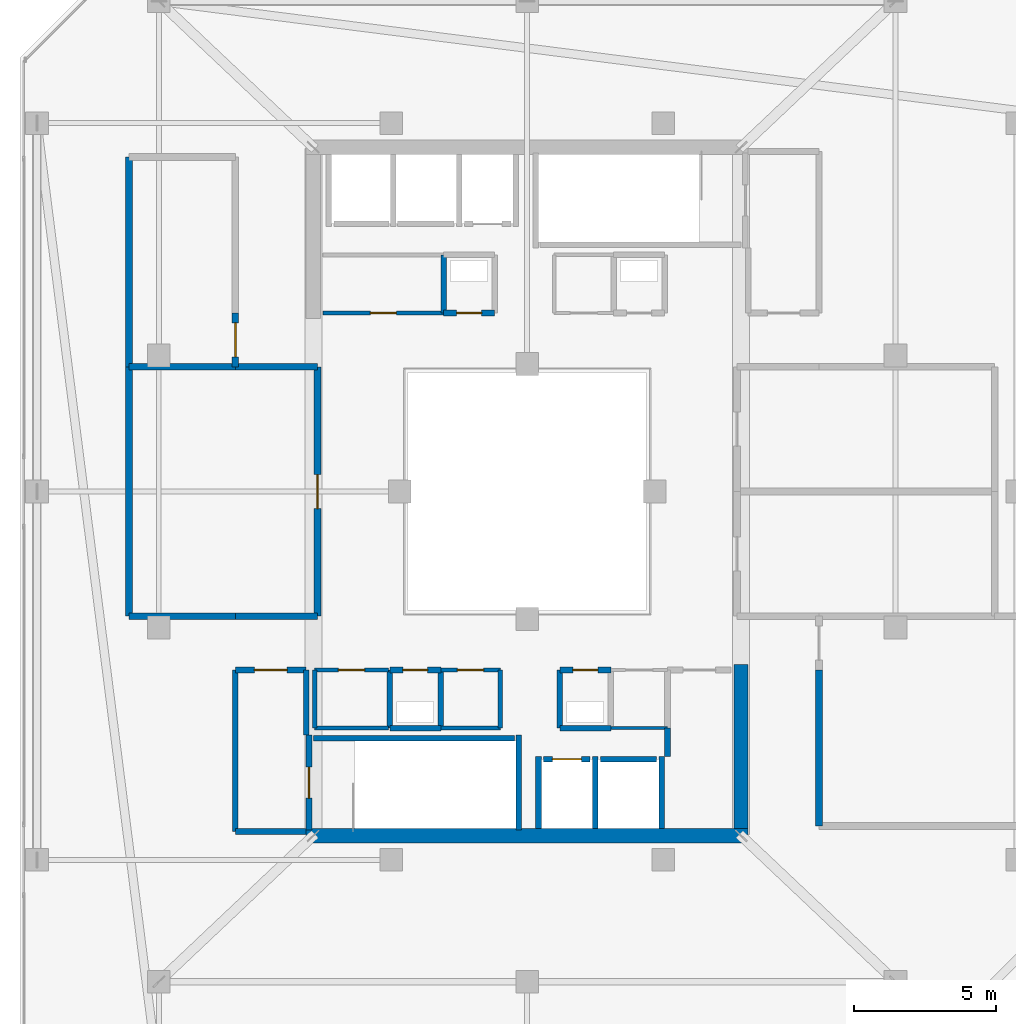
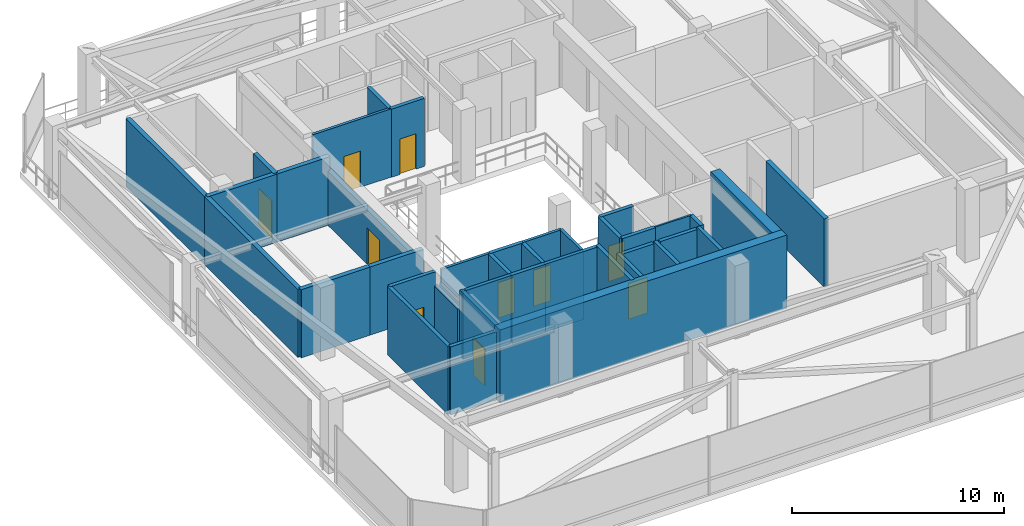
# One storey, part 41 of 47: 41 walls, 11 doors, 11 openings.
"""IFC4 building model written with IfcOpenShell, lengths in metres."""

from ifc_helpers import new_model, si_unit, direction, frame, frame_2d, origin, place, context, subcontext, project, spatial, rectangle, extrude, material, layer, layer_set, type_object, element, fill, save


model = new_model("IFC4")

# Units and contexts
model_context = context("Model", 3, precision=1e-05, world=origin(), true_north=direction((0.0, 1.0)))
body_context = subcontext(model_context, "Body", "Model", "MODEL_VIEW")
ifc_project = project(units=[si_unit("LENGTHUNIT", "METRE"), si_unit("AREAUNIT", "SQUARE_METRE"), si_unit("VOLUMEUNIT", "CUBIC_METRE"), si_unit("PLANEANGLEUNIT", "RADIAN"), si_unit("MASSUNIT", "GRAM", prefix="KILO")], contexts=[model_context])

# Site, building, storey
site_placement = place(None, origin())
site = spatial("IfcSite", under=ifc_project, at=site_placement, CompositionType="ELEMENT")
building_placement = place(site_placement, origin())
building = spatial("IfcBuilding", under=site, at=building_placement, Name="Thornwick Lancets Civic Towers", CompositionType="ELEMENT")
storey_placement = place(building_placement, frame((0.0, 0.0, 279.89990234375)))
storey = spatial("IfcBuildingStorey", under=building, at=storey_placement, Name="C01", CompositionType="ELEMENT", Elevation=279.89990234375)

# Wall, opening, door
ifc_material_1 = material(Name="Concrete blockwork C40/50", Category="masonry")
ifc_layer_1 = layer(ifc_material_1, 0.199951171875, Name="Concrete blockwork C40/50")
ifc_layer_set_1 = layer_set([ifc_layer_1], Name="Concrete blockwork C40/50")
wall_type_1 = type_object("IfcWallType", Name="WALL_COMP_200", PredefinedType="STANDARD", material=ifc_layer_set_1)
wall_1_placement = place(storey_placement, frame((26.080078125, 17.550048828125, 0.0), z_axis=(0.0, 0.0, 1.0), x_axis=(1.0, 0.0, 0.0)))
wall_1 = element("IfcWall", 1, at=wall_1_placement, inside=storey, type_object=wall_type_1, Name="C01 Hoistway Front Wall FL-A1", PredefinedType="STANDARD", context=body_context, shape_type="SweptSolid", body=[
    extrude(rectangle(XDim=1.639892578125, YDim=0.199951171875, at=frame_2d((0.81982421875, 0.0))), origin(), (0.0, 0.0, 1.0), 3.920166015625),
])
opening_1_placement = place(wall_1_placement, frame((0.31005859375, 0.0, 0.0)))
opening_1 = element("IfcOpeningElement", 2, at=opening_1_placement, cuts=wall_1, Name="Opening LD-FL-A1", PredefinedType="OPENING", context=body_context, shape_type="SweptSolid", body=[
    extrude(rectangle(XDim=1.02001953125, YDim=2.06005859375, at=frame_2d((0.510009765625, 1.030029296875))), frame((0.0, 0.10986328125, 0.0), z_axis=(0.0, -1.0, 0.0), x_axis=(1.0, 0.0, 0.0)), (0.0, 0.0, 1.0), 0.219970703125),
])
ifc_material_2 = material(Name="Brushed bronze stainless steel", Category="steel")
door_type_1 = type_object("IfcDoorType", Name="DOOR_LIFT_SLIDE", OperationType="SLIDING_TO_LEFT", PredefinedType="DOOR", material=ifc_material_2)
door_1_placement = place(opening_1_placement, origin())
door_1 = element("IfcDoor", 3, at=door_1_placement, inside=storey, type_object=door_type_1, Name="C01 Sliding Lift Landing Door LD-FL-A1", OperationType="SLIDING_TO_LEFT", OverallHeight=2.06005859375, OverallWidth=1.02001953125, PredefinedType="DOOR", context=body_context, shape_type="SweptSolid", body=[
    extrude(rectangle(XDim=1.02001953125, YDim=2.06005859375, at=frame_2d((0.510009765625, 1.030029296875))), frame((0.0, 0.02490234375, 0.0), z_axis=(0.0, -1.0, 0.0), x_axis=(1.0, 0.0, 0.0)), (0.0, 0.0, 1.0), 0.050048828125),
])
fill(opening_1, door_1)

# Walls
wall_2_placement = place(storey_placement, frame((28.080078125, 17.550048828125, 0.0), z_axis=(0.0, 0.0, 1.0), x_axis=(1.0, 0.0, 0.0)))
element("IfcWall", 4, at=wall_2_placement, inside=storey, type_object=wall_type_1, Name="C01 Hoistway Front Wall PL-AH1", PredefinedType="STANDARD", context=body_context, shape_type="SweptSolid", body=[
    extrude(rectangle(XDim=1.989990234375, YDim=0.199951171875, at=frame_2d((0.9951171875, 0.0))), origin(), (0.0, 0.0, 1.0), 3.920166015625),
])
for number, where, z_axis, x_axis, name in (
    (5, (27.89990234375, 15.112060546875, 0.0), (0.0, 0.0, 1.0), (0.0, 1.0, 0.0), "C01 Hoistway Shaft Wall FL-A1 E"),
    (6, (25.89990234375, 15.112060546875, 0.0), (0.0, 0.0, 1.0), (0.0, 1.0, 0.0), "C01 Hoistway Shaft Wall FL-A1 W"),
    (7, (30.25, 15.112060546875, 0.0), (0.0, 0.0, 1.0), (0.0, 1.0, 0.0), "C01 Hoistway Shaft Wall PL-AH1 E"),
):
    element("IfcWall", number, at=place(storey_placement, frame(where, z_axis=z_axis, x_axis=x_axis)), inside=storey, type_object=wall_type_1, Name=name, PredefinedType="STANDARD", context=body_context, shape_type="SweptSolid", body=[
        extrude(rectangle(XDim=2.535888671875, YDim=0.199951171875, at=frame_2d((1.26806640625, 0.0))), origin(), (0.0, 0.0, 1.0), 3.920166015625),
    ])
wall_3_placement = place(storey_placement, frame((15.199951171875, 15.0, 0.0), z_axis=(0.0, 0.0, 1.0), x_axis=(1.0, 0.0, 0.0)))
element("IfcWall", 8, at=wall_3_placement, inside=storey, type_object=wall_type_1, Name="C01 Partition C01-A-FFLOB1 E1", PredefinedType="STANDARD", context=body_context, shape_type="SweptSolid", body=[
    extrude(rectangle(XDim=2.5, YDim=0.199951171875, at=frame_2d((1.25, 0.0))), origin(), (0.0, 0.0, 1.0), 3.920166015625),
])
wall_4_placement = place(storey_placement, frame((17.699951171875, 18.39990234375, 0.0), z_axis=(0.0, 0.0, 1.0), x_axis=(0.0, 1.0, 0.0)))
element("IfcWall", 9, at=wall_4_placement, inside=storey, type_object=wall_type_1, Name="C01 Partition C01-A-FFLOB1 E2", PredefinedType="STANDARD", context=body_context, shape_type="SweptSolid", body=[
    extrude(rectangle(XDim=2.300048828125, YDim=0.199951171875, at=frame_2d((1.14990234375, 0.0))), origin(), (0.0, 0.0, 1.0), 3.125),
])

# Wall, opening, door
wall_5_placement = place(storey_placement, frame((17.699951171875, 20.699951171875, 0.0), z_axis=(0.0, 0.0, 1.0), x_axis=(-1.0, 0.0, 0.0)))
wall_5 = element("IfcWall", 10, at=wall_5_placement, inside=storey, type_object=wall_type_1, Name="C01 Partition C01-A-FFLOB1 E3", PredefinedType="STANDARD", context=body_context, shape_type="SweptSolid", body=[
    extrude(rectangle(XDim=2.5, YDim=0.199951171875, at=frame_2d((1.25, 0.0))), origin(), (0.0, 0.0, 1.0), 3.920166015625),
])
opening_2_placement = place(wall_5_placement, frame((0.675048828125, 0.0, 0.0)))
opening_2 = element("IfcOpeningElement", 11, at=opening_2_placement, cuts=wall_5, Name="Opening D-C01-3445", PredefinedType="OPENING", context=body_context, shape_type="SweptSolid", body=[
    extrude(rectangle(XDim=1.14990234375, YDim=2.10009765625, at=frame_2d((0.574951171875, 1.050048828125))), frame((0.0, 0.10986328125, 0.0), z_axis=(0.0, -1.0, 0.0), x_axis=(1.0, 0.0, 0.0)), (0.0, 0.0, 1.0), 0.219970703125),
])
ifc_material_3 = material(Name="Glazed fire-resisting steel", Category="steel")
door_type_2 = type_object("IfcDoorType", Name="DOOR_LOBBY_FD60", OperationType="NOTDEFINED", PredefinedType="DOOR", material=ifc_material_3)
door_2_placement = place(opening_2_placement, origin())
door_2 = element("IfcDoor", 12, at=door_2_placement, inside=storey, type_object=door_type_2, Name="C01 South Firefighting Lobby 1 Door", OperationType="SINGLE_SWING_RIGHT", OverallHeight=2.10009765625, OverallWidth=1.14990234375, PredefinedType="DOOR", context=body_context, shape_type="SweptSolid", body=[
    extrude(rectangle(XDim=1.14990234375, YDim=2.10009765625, at=frame_2d((0.574951171875, 1.050048828125))), frame((0.0, 0.02490234375, 0.0), z_axis=(0.0, -1.0, 0.0), x_axis=(1.0, 0.0, 0.0)), (0.0, 0.0, 1.0), 0.050048828125),
])
fill(opening_2, door_2)

# Walls
wall_6_placement = place(storey_placement, frame((15.199951171875, 20.699951171875, 0.0), z_axis=(0.0, 0.0, 1.0), x_axis=(0.0, -1.0, 0.0)))
element("IfcWall", 13, at=wall_6_placement, inside=storey, type_object=wall_type_1, Name="C01 Partition C01-A-FFLOB1 E4", PredefinedType="STANDARD", context=body_context, shape_type="SweptSolid", body=[
    extrude(rectangle(XDim=5.699951171875, YDim=0.199951171875, at=frame_2d((2.85009765625, 0.0))), origin(), (0.0, 0.0, 1.0), 3.920166015625),
])
wall_7_placement = place(storey_placement, frame((26.64990234375, 18.64990234375, 0.0), z_axis=(0.0, 0.0, 1.0), x_axis=(1.0, 0.0, 0.0)))
element("IfcWall", 14, at=wall_7_placement, inside=storey, type_object=wall_type_1, Name="C01 Partition C01-A-DUCT1 E1", PredefinedType="STANDARD", context=body_context, shape_type="SweptSolid", body=[
    extrude(rectangle(XDim=1.800048828125, YDim=0.199951171875, at=frame_2d((0.89990234375, 0.0))), origin(), (0.0, 0.0, 1.0), 3.920166015625),
])

# Wall, opening, door
wall_8_placement = place(storey_placement, frame((28.449951171875, 20.699951171875, 0.0), z_axis=(0.0, 0.0, 1.0), x_axis=(-1.0, 0.0, 0.0)))
wall_8 = element("IfcWall", 15, at=wall_8_placement, inside=storey, type_object=wall_type_1, Name="C01 Partition C01-A-DUCT1 E3", PredefinedType="STANDARD", context=body_context, shape_type="SweptSolid", body=[
    extrude(rectangle(XDim=1.800048828125, YDim=0.199951171875, at=frame_2d((0.89990234375, 0.0))), origin(), (0.0, 0.0, 1.0), 3.920166015625),
])
opening_3_placement = place(wall_8_placement, frame((0.4599609375, 0.0, 0.0)))
opening_3 = element("IfcOpeningElement", 16, at=opening_3_placement, cuts=wall_8, Name="Opening D-C01-3447", PredefinedType="OPENING", context=body_context, shape_type="SweptSolid", body=[
    extrude(rectangle(XDim=0.8798828125, YDim=2.0400390625, at=frame_2d((0.43994140625, 1.02001953125))), frame((0.0, 0.10986328125, 0.0), z_axis=(0.0, -1.0, 0.0), x_axis=(1.0, 0.0, 0.0)), (0.0, 0.0, 1.0), 0.219970703125),
])
ifc_material_4 = material(Name="Steel riser access doorset", Category="steel")
door_type_3 = type_object("IfcDoorType", Name="DOOR_RISER_850", OperationType="NOTDEFINED", PredefinedType="DOOR", material=ifc_material_4)
door_3_placement = place(opening_3_placement, origin())
door_3 = element("IfcDoor", 17, at=door_3_placement, inside=storey, type_object=door_type_3, Name="C01 South Service Duct 1 Door", OperationType="SINGLE_SWING_RIGHT", OverallHeight=2.0400390625, OverallWidth=0.8798828125, PredefinedType="DOOR", context=body_context, shape_type="SweptSolid", body=[
    extrude(rectangle(XDim=0.8798828125, YDim=2.0400390625, at=frame_2d((0.43994140625, 1.02001953125))), frame((0.0, 0.02490234375, 0.0), z_axis=(0.0, -1.0, 0.0), x_axis=(1.0, 0.0, 0.0)), (0.0, 0.0, 1.0), 0.050048828125),
])
fill(opening_3, door_3)

# Walls
wall_9_placement = place(storey_placement, frame((26.64990234375, 20.699951171875, 0.0), z_axis=(0.0, 0.0, 1.0), x_axis=(0.0, -1.0, 0.0)))
element("IfcWall", 18, at=wall_9_placement, inside=storey, type_object=wall_type_1, Name="C01 Partition C01-A-DUCT1 E4", PredefinedType="STANDARD", context=body_context, shape_type="SweptSolid", body=[
    extrude(rectangle(XDim=2.050048828125, YDim=0.199951171875, at=frame_2d((1.02490234375, 0.0))), origin(), (0.0, 0.0, 1.0), 3.920166015625),
])
wall_10_placement = place(storey_placement, frame((20.64990234375, 18.64990234375, 0.0), z_axis=(0.0, 0.0, 1.0), x_axis=(1.0, 0.0, 0.0)))
element("IfcWall", 19, at=wall_10_placement, inside=storey, type_object=wall_type_1, Name="C01 Partition C01-A-RISER1 E1", PredefinedType="STANDARD", context=body_context, shape_type="SweptSolid", body=[
    extrude(rectangle(XDim=1.800048828125, YDim=0.199951171875, at=frame_2d((0.89990234375, 0.0))), origin(), (0.0, 0.0, 1.0), 3.920166015625),
])
wall_11_placement = place(storey_placement, frame((22.449951171875, 18.64990234375, 0.0), z_axis=(0.0, 0.0, 1.0), x_axis=(0.0, 1.0, 0.0)))
element("IfcWall", 20, at=wall_11_placement, inside=storey, type_object=wall_type_1, Name="C01 Partition C01-A-RISER1 E2", PredefinedType="STANDARD", context=body_context, shape_type="SweptSolid", body=[
    extrude(rectangle(XDim=2.050048828125, YDim=0.199951171875, at=frame_2d((1.02490234375, 0.0))), origin(), (0.0, 0.0, 1.0), 3.920166015625),
])

# Wall, opening, door
wall_12_placement = place(storey_placement, frame((22.449951171875, 20.699951171875, 0.0), z_axis=(0.0, 0.0, 1.0), x_axis=(-1.0, 0.0, 0.0)))
wall_12 = element("IfcWall", 21, at=wall_12_placement, inside=storey, type_object=wall_type_1, Name="C01 Partition C01-A-RISER1 E3", PredefinedType="STANDARD", context=body_context, shape_type="SweptSolid", body=[
    extrude(rectangle(XDim=1.800048828125, YDim=0.199951171875, at=frame_2d((0.89990234375, 0.0))), origin(), (0.0, 0.0, 1.0), 3.920166015625),
])
opening_4_placement = place(wall_12_placement, frame((0.4599609375, 0.0, 0.0)))
opening_4 = element("IfcOpeningElement", 22, at=opening_4_placement, cuts=wall_12, Name="Opening D-C01-3448", PredefinedType="OPENING", context=body_context, shape_type="SweptSolid", body=[
    extrude(rectangle(XDim=0.8798828125, YDim=2.0400390625, at=frame_2d((0.43994140625, 1.02001953125))), frame((0.0, 0.10986328125, 0.0), z_axis=(0.0, -1.0, 0.0), x_axis=(1.0, 0.0, 0.0)), (0.0, 0.0, 1.0), 0.219970703125),
])
door_4_placement = place(opening_4_placement, origin())
door_4 = element("IfcDoor", 23, at=door_4_placement, inside=storey, type_object=door_type_3, Name="C01 South Electrical Riser 1 Door", OperationType="SINGLE_SWING_LEFT", OverallHeight=2.0400390625, OverallWidth=0.8798828125, PredefinedType="DOOR", context=body_context, shape_type="SweptSolid", body=[
    extrude(rectangle(XDim=0.8798828125, YDim=2.0400390625, at=frame_2d((0.43994140625, 1.02001953125))), frame((0.0, 0.02490234375, 0.0), z_axis=(0.0, -1.0, 0.0), x_axis=(1.0, 0.0, 0.0)), (0.0, 0.0, 1.0), 0.050048828125),
])
fill(opening_4, door_4)

# Wall
wall_13_placement = place(storey_placement, frame((20.64990234375, 20.699951171875, 0.0), z_axis=(0.0, 0.0, 1.0), x_axis=(0.0, -1.0, 0.0)))
element("IfcWall", 24, at=wall_13_placement, inside=storey, type_object=wall_type_1, Name="C01 Partition C01-A-RISER1 E4", PredefinedType="STANDARD", context=body_context, shape_type="SweptSolid", body=[
    extrude(rectangle(XDim=2.050048828125, YDim=0.199951171875, at=frame_2d((1.02490234375, 0.0))), origin(), (0.0, 0.0, 1.0), 3.920166015625),
])

# Wall, opening, door
wall_14_placement = place(storey_placement, frame((22.550048828125, 33.300048828125, 0.0), z_axis=(0.0, 0.0, 1.0), x_axis=(1.0, 0.0, 0.0)))
wall_14 = element("IfcWall", 25, at=wall_14_placement, inside=storey, type_object=wall_type_1, Name="C01 Partition C01-A-DUCT2 E1", PredefinedType="STANDARD", context=body_context, shape_type="SweptSolid", body=[
    extrude(rectangle(XDim=1.800048828125, YDim=0.199951171875, at=frame_2d((0.89990234375, 0.0))), origin(), (0.0, 0.0, 1.0), 3.920166015625),
])
opening_5_placement = place(wall_14_placement, frame((0.4599609375, 0.0, 0.0)))
opening_5 = element("IfcOpeningElement", 26, at=opening_5_placement, cuts=wall_14, Name="Opening D-C01-3449", PredefinedType="OPENING", context=body_context, shape_type="SweptSolid", body=[
    extrude(rectangle(XDim=0.8798828125, YDim=2.0400390625, at=frame_2d((0.43994140625, 1.02001953125))), frame((0.0, 0.10986328125, 0.0), z_axis=(0.0, -1.0, 0.0), x_axis=(1.0, 0.0, 0.0)), (0.0, 0.0, 1.0), 0.219970703125),
])
door_5_placement = place(opening_5_placement, origin())
door_5 = element("IfcDoor", 27, at=door_5_placement, inside=storey, type_object=door_type_3, Name="C01 North Service Duct 2 Door", OperationType="SINGLE_SWING_RIGHT", OverallHeight=2.0400390625, OverallWidth=0.8798828125, PredefinedType="DOOR", context=body_context, shape_type="SweptSolid", body=[
    extrude(rectangle(XDim=0.8798828125, YDim=2.0400390625, at=frame_2d((0.43994140625, 1.02001953125))), frame((0.0, 0.02490234375, 0.0), z_axis=(0.0, -1.0, 0.0), x_axis=(1.0, 0.0, 0.0)), (0.0, 0.0, 1.0), 0.050048828125),
])
fill(opening_5, door_5)

# Walls
wall_15_placement = place(storey_placement, frame((22.550048828125, 35.35009765625, 0.0), z_axis=(0.0, 0.0, 1.0), x_axis=(0.0, -1.0, 0.0)))
element("IfcWall", 28, at=wall_15_placement, inside=storey, type_object=wall_type_1, Name="C01 Partition C01-A-DUCT2 E4", PredefinedType="STANDARD", context=body_context, shape_type="SweptSolid", body=[
    extrude(rectangle(XDim=2.050048828125, YDim=0.199951171875, at=frame_2d((1.02490234375, 0.0))), origin(), (0.0, 0.0, 1.0), 3.920166015625),
])
wall_16_placement = place(storey_placement, frame((30.449951171875, 17.64794921875, 0.0), z_axis=(0.0, 0.0, 1.0), x_axis=(0.0, 1.0, 0.0)))
element("IfcWall", 29, at=wall_16_placement, inside=storey, type_object=wall_type_1, Name="C01 Partition C01-A-ITR2 E3", PredefinedType="STANDARD", context=body_context, shape_type="SweptSolid", body=[
    extrude(rectangle(XDim=1.001953125, YDim=0.199951171875, at=frame_2d((0.5009765625, 0.0))), origin(), (0.0, 0.0, 1.0), 3.920166015625),
])
ifc_layer_2 = layer(ifc_material_1, 0.239990234375, Name="Concrete blockwork C40/50")
ifc_layer_set_2 = layer_set([ifc_layer_2], Name="Concrete blockwork C40/50")
wall_type_2 = type_object("IfcWallType", Name="WALL_COMP_240", PredefinedType="STANDARD", material=ifc_layer_set_2)
wall_17_placement = place(storey_placement, frame((18.10009765625, 22.60009765625, 0.0), z_axis=(0.0, 0.0, 1.0), x_axis=(-1.0, 0.0, 0.0)))
element("IfcWall", 30, at=wall_17_placement, inside=storey, type_object=wall_type_2, Name="C01 Partition C01-A-PL-AHU E1", PredefinedType="STANDARD", context=body_context, shape_type="SweptSolid", body=[
    extrude(rectangle(XDim=2.900146484375, YDim=0.239990234375, at=frame_2d((1.4501953125, 0.0))), origin(), (0.0, 0.0, 1.0), 3.920166015625),
])
wall_18_placement = place(storey_placement, frame((15.199951171875, 22.60009765625, 0.0), z_axis=(0.0, 0.0, 1.0), x_axis=(-1.0, 0.0, 0.0)))
element("IfcWall", 31, at=wall_18_placement, inside=storey, type_object=wall_type_2, Name="C01 Partition C01-A-PL-AHU E2", PredefinedType="STANDARD", context=body_context, shape_type="SweptSolid", body=[
    extrude(rectangle(XDim=3.75, YDim=0.239990234375, at=frame_2d((1.875, 0.0))), origin(), (0.0, 0.0, 1.0), 3.920166015625),
])
wall_19_placement = place(storey_placement, frame((11.449951171875, 22.60009765625, 0.0), z_axis=(0.0, 0.0, 1.0), x_axis=(0.0, 1.0, 0.0)))
element("IfcWall", 32, at=wall_19_placement, inside=storey, type_object=wall_type_2, Name="C01 Partition C01-A-PL-AHU E3", PredefinedType="STANDARD", context=body_context, shape_type="SweptSolid", body=[
    extrude(rectangle(XDim=8.7998046875, YDim=0.239990234375, at=frame_2d((4.39990234375, 0.0))), origin(), (0.0, 0.0, 1.0), 3.920166015625),
])
wall_20_placement = place(storey_placement, frame((11.449951171875, 31.39990234375, 0.0), z_axis=(0.0, 0.0, 1.0), x_axis=(1.0, 0.0, 0.0)))
element("IfcWall", 33, at=wall_20_placement, inside=storey, type_object=wall_type_2, Name="C01 Partition C01-A-PL-AHU E4", PredefinedType="STANDARD", context=body_context, shape_type="SweptSolid", body=[
    extrude(rectangle(XDim=3.75, YDim=0.239990234375, at=frame_2d((1.875, 0.0))), origin(), (0.0, 0.0, 1.0), 3.920166015625),
])
wall_21_placement = place(storey_placement, frame((15.199951171875, 31.39990234375, 0.0), z_axis=(0.0, 0.0, 1.0), x_axis=(1.0, 0.0, 0.0)))
element("IfcWall", 34, at=wall_21_placement, inside=storey, type_object=wall_type_2, Name="C01 Partition C01-A-PL-AHU E5", PredefinedType="STANDARD", context=body_context, shape_type="SweptSolid", body=[
    extrude(rectangle(XDim=2.900146484375, YDim=0.239990234375, at=frame_2d((1.4501953125, 0.0))), origin(), (0.0, 0.0, 1.0), 3.920166015625),
])

# Wall, opening, door
wall_22_placement = place(storey_placement, frame((18.10009765625, 31.39990234375, 0.0), z_axis=(0.0, 0.0, 1.0), x_axis=(0.0, -1.0, 0.0)))
wall_22 = element("IfcWall", 35, at=wall_22_placement, inside=storey, type_object=wall_type_2, Name="C01 Partition C01-A-PL-AHU E6", PredefinedType="STANDARD", context=body_context, shape_type="SweptSolid", body=[
    extrude(rectangle(XDim=8.7998046875, YDim=0.239990234375, at=frame_2d((4.39990234375, 0.0))), origin(), (0.0, 0.0, 1.0), 3.125),
])
opening_6_placement = place(wall_22_placement, frame((3.800048828125, 0.0, 0.0)))
opening_6 = element("IfcOpeningElement", 36, at=opening_6_placement, cuts=wall_22, Name="Opening D-C01-3471", PredefinedType="OPENING", context=body_context, shape_type="SweptSolid", body=[
    extrude(rectangle(XDim=1.199951171875, YDim=2.10009765625, at=frame_2d((0.60009765625, 1.050048828125))), frame((0.0, 0.1298828125, 0.0), z_axis=(0.0, -1.0, 0.0), x_axis=(1.0, 0.0, 0.0)), (0.0, 0.0, 1.0), 0.260009765625),
])
ifc_material_5 = material(Name="Steel plant room doorset", Category="steel")
door_type_4 = type_object("IfcDoorType", Name="DOOR_PLANT_1200", OperationType="NOTDEFINED", PredefinedType="DOOR", material=ifc_material_5)
door_6_placement = place(opening_6_placement, origin())
door_6 = element("IfcDoor", 37, at=door_6_placement, inside=storey, type_object=door_type_4, Name="C01 Tower A AHU and Ventilation Plant Room Door", OperationType="SINGLE_SWING_RIGHT", OverallHeight=2.10009765625, OverallWidth=1.199951171875, PredefinedType="DOOR", context=body_context, shape_type="SweptSolid", body=[
    extrude(rectangle(XDim=1.199951171875, YDim=2.10009765625, at=frame_2d((0.60009765625, 1.050048828125))), frame((0.0, 0.02490234375, 0.0), z_axis=(0.0, -1.0, 0.0), x_axis=(1.0, 0.0, 0.0)), (0.0, 0.0, 1.0), 0.050048828125),
])
fill(opening_6, door_6)

# Wall
wall_23_placement = place(storey_placement, frame((35.800048828125, 15.199951171875, 0.0), z_axis=(0.0, 0.0, 1.0), x_axis=(0.0, 1.0, 0.0)))
element("IfcWall", 38, at=wall_23_placement, inside=storey, type_object=wall_type_2, Name="C01 Partition C01-A-PL-CHL E6", PredefinedType="STANDARD", context=body_context, shape_type="SweptSolid", body=[
    extrude(rectangle(XDim=5.5, YDim=0.239990234375, at=frame_2d((2.75, 0.0))), origin(), (0.0, 0.0, 1.0), 3.920166015625),
])

# Wall, opening, door
wall_24_placement = place(storey_placement, frame((15.199951171875, 33.300048828125, 0.0), z_axis=(0.0, 0.0, 1.0), x_axis=(0.0, -1.0, 0.0)))
wall_24 = element("IfcWall", 39, at=wall_24_placement, inside=storey, type_object=wall_type_2, Name="C01 Partition C01-A-PL-ELC E1", PredefinedType="STANDARD", context=body_context, shape_type="SweptSolid", body=[
    extrude(rectangle(XDim=1.900146484375, YDim=0.239990234375, at=frame_2d((0.9501953125, 0.0))), origin(), (0.0, 0.0, 1.0), 3.920166015625),
])
opening_7_placement = place(wall_24_placement, frame((0.35009765625, 0.0, 0.0)))
opening_7 = element("IfcOpeningElement", 40, at=opening_7_placement, cuts=wall_24, Name="Opening D-C01-3473", PredefinedType="OPENING", context=body_context, shape_type="SweptSolid", body=[
    extrude(rectangle(XDim=1.199951171875, YDim=2.10009765625, at=frame_2d((0.60009765625, 1.050048828125))), frame((0.0, 0.1298828125, 0.0), z_axis=(0.0, -1.0, 0.0), x_axis=(1.0, 0.0, 0.0)), (0.0, 0.0, 1.0), 0.260009765625),
])
door_7_placement = place(opening_7_placement, origin())
door_7 = element("IfcDoor", 41, at=door_7_placement, inside=storey, type_object=door_type_4, Name="C01 Tower A LV Switchgear Room Door", OperationType="SINGLE_SWING_RIGHT", OverallHeight=2.10009765625, OverallWidth=1.199951171875, PredefinedType="DOOR", context=body_context, shape_type="SweptSolid", body=[
    extrude(rectangle(XDim=1.199951171875, YDim=2.10009765625, at=frame_2d((0.60009765625, 1.050048828125))), frame((0.0, 0.02490234375, 0.0), z_axis=(0.0, -1.0, 0.0), x_axis=(1.0, 0.0, 0.0)), (0.0, 0.0, 1.0), 0.050048828125),
])
fill(opening_7, door_7)

# Walls
wall_25_placement = place(storey_placement, frame((11.449951171875, 31.39990234375, 0.0), z_axis=(0.0, 0.0, 1.0), x_axis=(0.0, 1.0, 0.0)))
element("IfcWall", 42, at=wall_25_placement, inside=storey, type_object=wall_type_2, Name="C01 Partition C01-A-PL-ELC E3", PredefinedType="STANDARD", context=body_context, shape_type="SweptSolid", body=[
    extrude(rectangle(XDim=7.400146484375, YDim=0.239990234375, at=frame_2d((3.7001953125, 0.0))), origin(), (0.0, 0.0, 1.0), 3.920166015625),
])
ifc_material_6 = material(Name="Concrete C50/60", Category="concrete")
ifc_layer_3 = layer(ifc_material_6, 0.5, Name="Concrete C50/60")
ifc_layer_set_3 = layer_set([ifc_layer_3], Name="Concrete C50/60")
wall_type_3 = type_object("IfcWallType", Name="WALL_CORE_500", PredefinedType="SHEAR", material=ifc_layer_set_3)
wall_26_placement = place(storey_placement, frame((17.699951171875, 14.85009765625, 0.0), z_axis=(0.0, 0.0, 1.0), x_axis=(1.0, 0.0, 0.0)))
element("IfcWall", 43, at=wall_26_placement, inside=storey, type_object=wall_type_3, Name="C01 Split Core A1 Shear Wall S", PredefinedType="SHEAR", context=body_context, shape_type="SweptSolid", body=[
    extrude(rectangle(XDim=15.60009765625, YDim=0.5, at=frame_2d((7.800048828125, 0.0))), origin(), (0.0, 0.0, 1.0), 4.2001953125),
])
wall_27_placement = place(storey_placement, frame((33.050048828125, 15.10009765625, 0.0), z_axis=(0.0, 0.0, 1.0), x_axis=(0.0, 1.0, 0.0)))
element("IfcWall", 44, at=wall_27_placement, inside=storey, type_object=wall_type_3, Name="C01 Split Core A1 Shear Wall E", PredefinedType="SHEAR", context=body_context, shape_type="SweptSolid", body=[
    extrude(rectangle(XDim=5.7998046875, YDim=0.5, at=frame_2d((2.89990234375, 0.0))), origin(), (0.0, 0.0, 1.0), 4.2001953125),
])
ifc_material_7 = material(Name="Lightweight cellular office partition")
ifc_layer_4 = layer(ifc_material_7, 0.10009765625, Name="Lightweight cellular office partition")
ifc_layer_set_4 = layer_set([ifc_layer_4], Name="Lightweight cellular office partition")
wall_type_4 = type_object("IfcWallType", Name="WALL_PART_100", PredefinedType="PARTITIONING", material=ifc_layer_set_4)
wall_28_placement = place(storey_placement, frame((30.449951171875, 18.64990234375, 0.0), z_axis=(0.0, 0.0, 1.0), x_axis=(-1.0, 0.0, 0.0)))
element("IfcWall", 45, at=wall_28_placement, inside=storey, type_object=wall_type_4, Name="C01 Partition C01-A-CLN E2", PredefinedType="PARTITIONING", context=body_context, shape_type="SweptSolid", body=[
    extrude(rectangle(XDim=2.0, YDim=0.10009765625, at=frame_2d((1.0, 0.0))), origin(), (0.0, 0.0, 1.0), 3.920166015625),
])
ifc_material_8 = material(Name="Twin-stud acoustic gypsum board")
ifc_layer_5 = layer(ifc_material_8, 0.14990234375, Name="Twin-stud acoustic gypsum board")
ifc_layer_set_5 = layer_set([ifc_layer_5], Name="Twin-stud acoustic gypsum board")
wall_type_5 = type_object("IfcWallType", Name="WALL_PART_150", PredefinedType="PARTITIONING", material=ifc_layer_set_5)
wall_29_placement = place(storey_placement, frame((18.0, 18.64990234375, 0.0), z_axis=(0.0, 0.0, 1.0), x_axis=(1.0, 0.0, 0.0)))
element("IfcWall", 46, at=wall_29_placement, inside=storey, type_object=wall_type_5, Name="C01 Partition C01-A-MWC E1", PredefinedType="PARTITIONING", context=body_context, shape_type="SweptSolid", body=[
    extrude(rectangle(XDim=2.60009765625, YDim=0.14990234375, at=frame_2d((1.300048828125, 0.0))), origin(), (0.0, 0.0, 1.0), 3.920166015625),
])

# Wall, opening, door
wall_30_placement = place(storey_placement, frame((20.60009765625, 20.699951171875, 0.0), z_axis=(0.0, 0.0, 1.0), x_axis=(-1.0, 0.0, 0.0)))
wall_30 = element("IfcWall", 47, at=wall_30_placement, inside=storey, type_object=wall_type_5, Name="C01 Partition C01-A-MWC E3", PredefinedType="PARTITIONING", context=body_context, shape_type="SweptSolid", body=[
    extrude(rectangle(XDim=2.60009765625, YDim=0.14990234375, at=frame_2d((1.300048828125, 0.0))), origin(), (0.0, 0.0, 1.0), 3.920166015625),
])
opening_8_placement = place(wall_30_placement, frame((0.840087890625, 0.0, 0.0)))
opening_8 = element("IfcOpeningElement", 48, at=opening_8_placement, cuts=wall_30, Name="Opening D-C01-3451", PredefinedType="OPENING", context=body_context, shape_type="SweptSolid", body=[
    extrude(rectangle(XDim=0.919921875, YDim=2.080078125, at=frame_2d((0.4599609375, 1.0400390625))), frame((0.0, 0.0849609375, 0.0), z_axis=(0.0, -1.0, 0.0), x_axis=(1.0, 0.0, 0.0)), (0.0, 0.0, 1.0), 0.169921875),
])
ifc_material_9 = material(Name="Moisture-resistant oak doorset")
door_type_5 = type_object("IfcDoorType", Name="DOOR_WC_900", OperationType="NOTDEFINED", PredefinedType="DOOR", material=ifc_material_9)
door_8_placement = place(opening_8_placement, origin())
door_8 = element("IfcDoor", 49, at=door_8_placement, inside=storey, type_object=door_type_5, Name="C01 Tower A Male WC Door", OperationType="SINGLE_SWING_RIGHT", OverallHeight=2.080078125, OverallWidth=0.919921875, PredefinedType="DOOR", context=body_context, shape_type="SweptSolid", body=[
    extrude(rectangle(XDim=0.919921875, YDim=2.080078125, at=frame_2d((0.4599609375, 1.0400390625))), frame((0.0, 0.02490234375, 0.0), z_axis=(0.0, -1.0, 0.0), x_axis=(1.0, 0.0, 0.0)), (0.0, 0.0, 1.0), 0.050048828125),
])
fill(opening_8, door_8)

# Walls
wall_31_placement = place(storey_placement, frame((18.0, 20.699951171875, 0.0), z_axis=(0.0, 0.0, 1.0), x_axis=(0.0, -1.0, 0.0)))
element("IfcWall", 50, at=wall_31_placement, inside=storey, type_object=wall_type_5, Name="C01 Partition C01-A-MWC E4", PredefinedType="PARTITIONING", context=body_context, shape_type="SweptSolid", body=[
    extrude(rectangle(XDim=2.050048828125, YDim=0.14990234375, at=frame_2d((1.02490234375, 0.0))), origin(), (0.0, 0.0, 1.0), 3.125),
])
wall_32_placement = place(storey_placement, frame((24.550048828125, 20.699951171875, 0.0), z_axis=(0.0, 0.0, 1.0), x_axis=(0.0, -1.0, 0.0)))
element("IfcWall", 51, at=wall_32_placement, inside=storey, type_object=wall_type_5, Name="C01 Partition C01-A-AWC E1", PredefinedType="PARTITIONING", context=body_context, shape_type="SweptSolid", body=[
    extrude(rectangle(XDim=2.050048828125, YDim=0.14990234375, at=frame_2d((1.02490234375, 0.0))), origin(), (0.0, 0.0, 1.0), 3.920166015625),
])
wall_33_placement = place(storey_placement, frame((24.550048828125, 18.64990234375, 0.0), z_axis=(0.0, 0.0, 1.0), x_axis=(-1.0, 0.0, 0.0)))
element("IfcWall", 52, at=wall_33_placement, inside=storey, type_object=wall_type_5, Name="C01 Partition C01-A-AWC E2", PredefinedType="PARTITIONING", context=body_context, shape_type="SweptSolid", body=[
    extrude(rectangle(XDim=2.10009765625, YDim=0.14990234375, at=frame_2d((1.050048828125, 0.0))), origin(), (0.0, 0.0, 1.0), 3.920166015625),
])

# Wall, opening, door
wall_34_placement = place(storey_placement, frame((22.449951171875, 20.699951171875, 0.0), z_axis=(0.0, 0.0, 1.0), x_axis=(1.0, 0.0, 0.0)))
wall_34 = element("IfcWall", 53, at=wall_34_placement, inside=storey, type_object=wall_type_5, Name="C01 Partition C01-A-AWC E4", PredefinedType="PARTITIONING", context=body_context, shape_type="SweptSolid", body=[
    extrude(rectangle(XDim=2.10009765625, YDim=0.14990234375, at=frame_2d((1.050048828125, 0.0))), origin(), (0.0, 0.0, 1.0), 3.920166015625),
])
opening_9_placement = place(wall_34_placement, frame((0.590087890625, 0.0, 0.0)))
opening_9 = element("IfcOpeningElement", 54, at=opening_9_placement, cuts=wall_34, Name="Opening D-C01-3452", PredefinedType="OPENING", context=body_context, shape_type="SweptSolid", body=[
    extrude(rectangle(XDim=0.919921875, YDim=2.080078125, at=frame_2d((0.4599609375, 1.0400390625))), frame((0.0, 0.0849609375, 0.0), z_axis=(0.0, -1.0, 0.0), x_axis=(1.0, 0.0, 0.0)), (0.0, 0.0, 1.0), 0.169921875),
])
door_9_placement = place(opening_9_placement, origin())
door_9 = element("IfcDoor", 55, at=door_9_placement, inside=storey, type_object=door_type_5, Name="C01 Tower A Accessible WC Door", OperationType="SINGLE_SWING_LEFT", OverallHeight=2.080078125, OverallWidth=0.919921875, PredefinedType="DOOR", context=body_context, shape_type="SweptSolid", body=[
    extrude(rectangle(XDim=0.919921875, YDim=2.080078125, at=frame_2d((0.4599609375, 1.0400390625))), frame((0.0, 0.02490234375, 0.0), z_axis=(0.0, -1.0, 0.0), x_axis=(1.0, 0.0, 0.0)), (0.0, 0.0, 1.0), 0.050048828125),
])
fill(opening_9, door_9)

wall_35_placement = place(storey_placement, frame((22.550048828125, 33.300048828125, 0.0), z_axis=(0.0, 0.0, 1.0), x_axis=(-1.0, 0.0, 0.0)))
wall_35 = element("IfcWall", 56, at=wall_35_placement, inside=storey, type_object=wall_type_5, Name="C01 Partition C01-A-FWC E4", PredefinedType="PARTITIONING", context=body_context, shape_type="SweptSolid", body=[
    extrude(rectangle(XDim=4.25, YDim=0.14990234375, at=frame_2d((2.125, 0.0))), origin(), (0.0, 0.0, 1.0), 3.920166015625),
])
opening_10_placement = place(wall_35_placement, frame((1.6650390625, 0.0, 0.0)))
opening_10 = element("IfcOpeningElement", 57, at=opening_10_placement, cuts=wall_35, Name="Opening D-C01-3455", PredefinedType="OPENING", context=body_context, shape_type="SweptSolid", body=[
    extrude(rectangle(XDim=0.919921875, YDim=2.080078125, at=frame_2d((0.4599609375, 1.0400390625))), frame((0.0, 0.0849609375, 0.0), z_axis=(0.0, -1.0, 0.0), x_axis=(1.0, 0.0, 0.0)), (0.0, 0.0, 1.0), 0.169921875),
])
door_10_placement = place(opening_10_placement, origin())
door_10 = element("IfcDoor", 58, at=door_10_placement, inside=storey, type_object=door_type_5, Name="C01 Tower A Female WC Door", OperationType="SINGLE_SWING_RIGHT", OverallHeight=2.080078125, OverallWidth=0.919921875, PredefinedType="DOOR", context=body_context, shape_type="SweptSolid", body=[
    extrude(rectangle(XDim=0.919921875, YDim=2.080078125, at=frame_2d((0.4599609375, 1.0400390625))), frame((0.0, 0.02490234375, 0.0), z_axis=(0.0, -1.0, 0.0), x_axis=(1.0, 0.0, 0.0)), (0.0, 0.0, 1.0), 0.050048828125),
])
fill(opening_10, door_10)

ifc_material_10 = material(Name="Concrete C40/50", Category="concrete")
ifc_layer_6 = layer(ifc_material_10, 0.199951171875, Name="Concrete C40/50")
ifc_layer_set_6 = layer_set([ifc_layer_6], Name="Concrete C40/50")
wall_type_6 = type_object("IfcWallType", Name="WALL_SHAFT_200", PredefinedType="SHEAR", material=ifc_layer_set_6)
wall_36_placement = place(storey_placement, frame((17.800048828125, 15.050048828125, 0.0), z_axis=(0.0, 0.0, 1.0), x_axis=(0.0, 1.0, 0.0)))
wall_36 = element("IfcWall", 59, at=wall_36_placement, inside=storey, type_object=wall_type_6, Name="C01 ST-A1 Fire Stair Core Wall NEAR", PredefinedType="SHEAR", context=body_context, shape_type="SweptSolid", body=[
    extrude(rectangle(XDim=3.349853515625, YDim=0.199951171875, at=frame_2d((1.6748046875, 0.0))), origin(), (0.0, 0.0, 1.0), 4.2001953125),
])
opening_11_placement = place(wall_36_placement, frame((1.125, 0.0, 0.0)))
opening_11 = element("IfcOpeningElement", 60, at=opening_11_placement, cuts=wall_36, Name="Opening D-ST-A1-C01", PredefinedType="OPENING", context=body_context, shape_type="SweptSolid", body=[
    extrude(rectangle(XDim=1.10009765625, YDim=2.10009765625, at=frame_2d((0.550048828125, 1.050048828125))), frame((0.0, 0.10986328125, 0.0), z_axis=(0.0, -1.0, 0.0), x_axis=(1.0, 0.0, 0.0)), (0.0, 0.0, 1.0), 0.219970703125),
])
ifc_material_11 = material(Name="Fire-resisting steel and hardwood", Category="steel")
door_type_6 = type_object("IfcDoorType", Name="DOOR_STAIR_FD60", OperationType="NOTDEFINED", PredefinedType="DOOR", material=ifc_material_11)
door_11_placement = place(opening_11_placement, origin())
door_11 = element("IfcDoor", 61, at=door_11_placement, inside=storey, type_object=door_type_6, Name="C01 ST-A1 Exit Stair Door", OperationType="SINGLE_SWING_RIGHT", OverallHeight=2.10009765625, OverallWidth=1.10009765625, PredefinedType="DOOR", context=body_context, shape_type="SweptSolid", body=[
    extrude(rectangle(XDim=1.10009765625, YDim=2.10009765625, at=frame_2d((0.550048828125, 1.050048828125))), frame((0.0, 0.02490234375, 0.0), z_axis=(0.0, -1.0, 0.0), x_axis=(1.0, 0.0, 0.0)), (0.0, 0.0, 1.0), 0.050048828125),
])
fill(opening_11, door_11)

# Walls
wall_37_placement = place(storey_placement, frame((25.199951171875, 18.39990234375, 0.0), z_axis=(0.0, 0.0, 1.0), x_axis=(0.0, -1.0, 0.0)))
element("IfcWall", 62, at=wall_37_placement, inside=storey, type_object=wall_type_6, Name="C01 ST-A1 Fire Stair Core Wall FAR", PredefinedType="SHEAR", context=body_context, shape_type="SweptSolid", body=[
    extrude(rectangle(XDim=3.349853515625, YDim=0.199951171875, at=frame_2d((1.6748046875, 0.0))), origin(), (0.0, 0.0, 1.0), 4.2001953125),
])
wall_38_placement = place(storey_placement, frame((25.050048828125, 18.297119140625, 0.0), z_axis=(0.0, 0.0, 1.0), x_axis=(-1.0, 0.0, 0.0)))
element("IfcWall", 63, at=wall_38_placement, inside=storey, type_object=wall_type_6, Name="C01 ST-A1 Fire Stair Core Wall RIGHT", PredefinedType="SHEAR", context=body_context, shape_type="SweptSolid", body=[
    extrude(rectangle(XDim=7.10009765625, YDim=0.199951171875, at=frame_2d((3.550048828125, 0.0))), origin(), (0.0, 0.0, 1.0), 4.2001953125),
])

save(model, "model.ifc")
